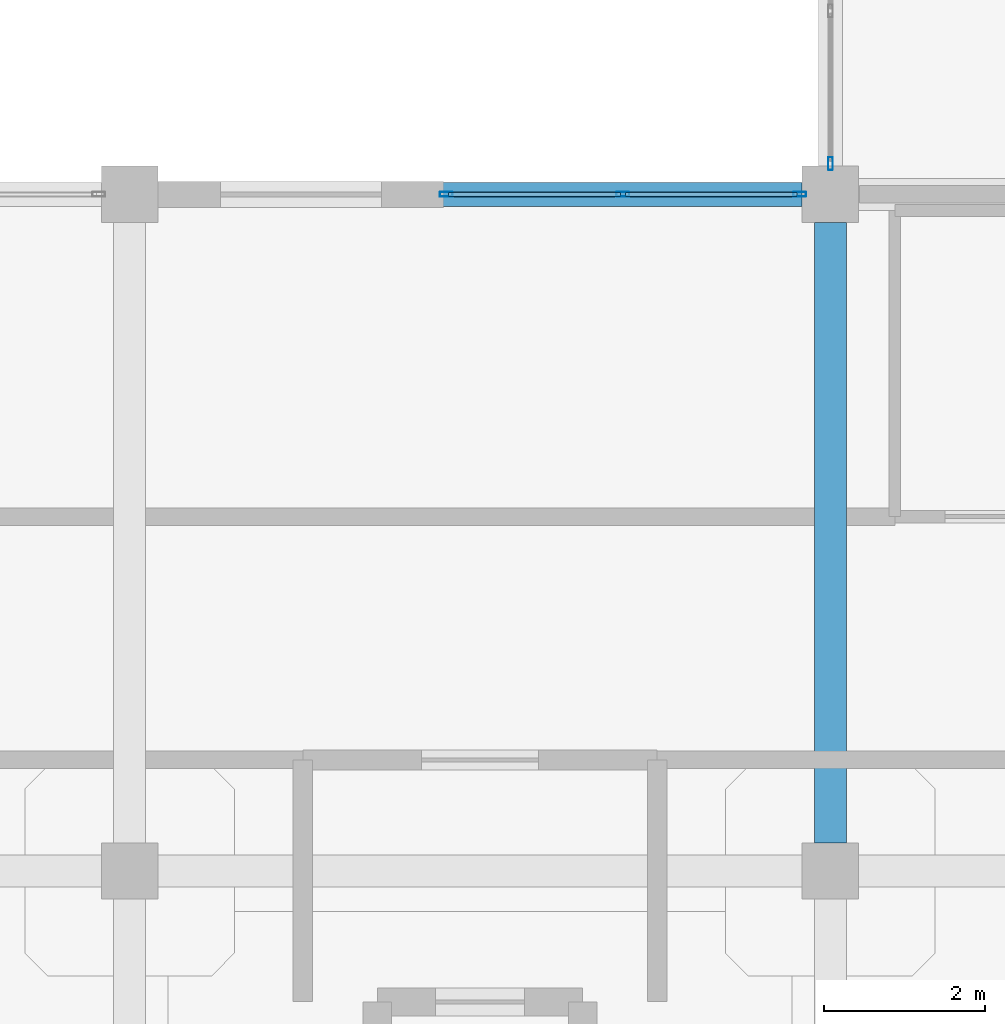
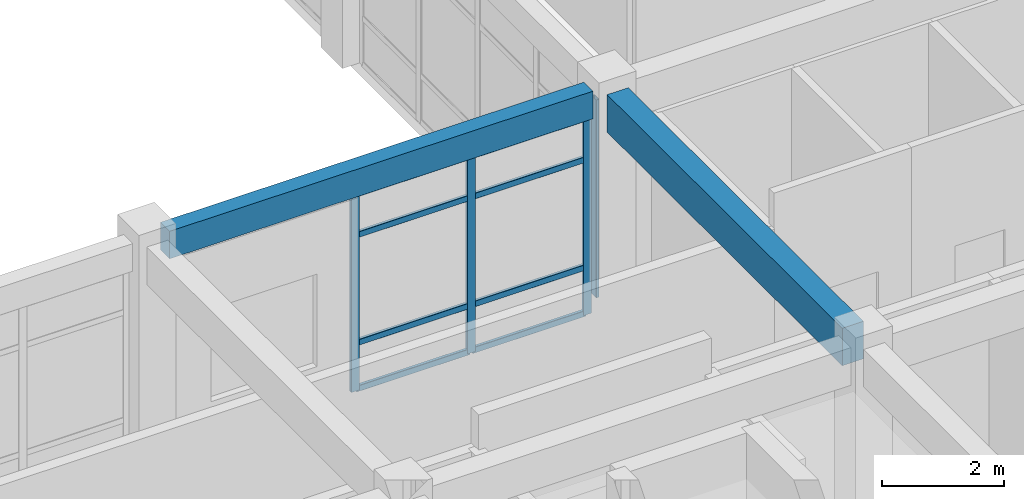
# One storey, part 11 of 76: 12 members, 2 beams, 2 elements without a shape of their own.
"""IFC4 building model written with IfcOpenShell, lengths in metres."""

from ifc_helpers import new_model, si_unit, derived_unit, direction, frame, origin, origin_2d, place, context, subcontext, project, spatial, rectangle, hollow_rectangle, extrude, material, layer, layer_set, material_profile, profile_set, type_object, element, aggregate, save


model = new_model("IFC4")

# Units and contexts
model_context = context("Model", 3, precision=1e-05, world=origin(), true_north=direction((0.0, 1.0)))
body_context = subcontext(model_context, "Body", "Model", "MODEL_VIEW")
ifc_project = project(units=[si_unit("LENGTHUNIT", "METRE"), si_unit("AREAUNIT", "SQUARE_METRE"), si_unit("VOLUMEUNIT", "CUBIC_METRE"), si_unit("PLANEANGLEUNIT", "RADIAN"), si_unit("MASSUNIT", "GRAM", prefix="KILO"), derived_unit("THERMALTRANSMITTANCEUNIT", [(si_unit("MASSUNIT", "GRAM", prefix="KILO"), 1), (si_unit("TIMEUNIT", "SECOND"), -3), (si_unit("THERMODYNAMICTEMPERATUREUNIT", "KELVIN"), -1)])], contexts=[model_context])

# Site, building, storey
site_placement = place(None, origin())
site = spatial("IfcSite", under=ifc_project, at=site_placement, CompositionType="ELEMENT")
building_placement = place(site_placement, origin())
building = spatial("IfcBuilding", under=site, at=building_placement, Name="Qinzheling Arcade Emporium", CompositionType="ELEMENT")
storey_placement = place(building_placement, frame((0.0, 0.0, 26.699951171875)))
storey = spatial("IfcBuildingStorey", under=building, at=storey_placement, Name="L06", CompositionType="ELEMENT", Elevation=26.699951171875)

# Curtain wall, members
ifc_material_1 = material(Name="Anodised aluminium and solar-control double glazing", Category="aluminium")
ifc_layer = layer(ifc_material_1, 0.159912109375, Name="Anodised aluminium and solar-control double glazing", Category="aluminium")
ifc_layer_set = layer_set([ifc_layer], Name="Anodised aluminium and solar-control double glazing")
curtain_wall_type = type_object("IfcCurtainWallType", Name="Atrium Clerestory Curtain Wall", PredefinedType="NOTDEFINED", material=ifc_layer_set)
curtain_wall_1_placement = place(storey_placement, origin())
curtain_wall_1 = element("IfcCurtainWall", 1, at=curtain_wall_1_placement, inside=storey, type_object=curtain_wall_type, Name="Curtain Wall CW-L06-362", PredefinedType="NOTDEFINED")
ifc_material_2 = material(Name="Anodised aluminium 6063-T6", Category="aluminium")
ifc_material_profile_1 = material_profile(ifc_material_2, hollow_rectangle(XDim=0.06005859375, YDim=0.159912109375, WallThickness=0.00390625, InnerFilletRadius=0.00390625, OuterFilletRadius=0.008056640625, at=origin_2d()), Name="RHS 160x60x4", Category="aluminium")
ifc_profile_set_1 = profile_set([ifc_material_profile_1], Name="Anodised aluminium 6063-T6")
member_type_1 = type_object("IfcMemberType", Name="Curtain Wall Mullion RHS160x60", PredefinedType="MULLION", material=ifc_profile_set_1)
member_1_placement = place(storey_placement, frame((30.030029296875, 42.0, 0.0), z_axis=(0.0, 0.0, 1.0), x_axis=(0.0, 1.0, 0.0)))
member_1 = element("IfcMember", 2, at=member_1_placement, type_object=member_type_1, Name="CW03 mullion 1", PredefinedType="MULLION", context=body_context, shape_type="SweptSolid", body=[
    extrude(hollow_rectangle(XDim=0.06005859375, YDim=0.159912109375, WallThickness=0.00390625, InnerFilletRadius=0.00390625, OuterFilletRadius=0.008056640625, at=origin_2d()), origin(), (0.0, 0.0, 1.0), 3.955078125),
])
member_2_placement = place(storey_placement, frame((32.22412109375, 42.0, 0.0), z_axis=(0.0, 0.0, 1.0), x_axis=(0.0, 1.0, 0.0)))
member_2 = element("IfcMember", 3, at=member_2_placement, type_object=member_type_1, Name="CW03 mullion 2", PredefinedType="MULLION", context=body_context, shape_type="SweptSolid", body=[
    extrude(hollow_rectangle(XDim=0.06005859375, YDim=0.159912109375, WallThickness=0.00390625, InnerFilletRadius=0.00390625, OuterFilletRadius=0.008056640625, at=origin_2d()), origin(), (0.0, 0.0, 1.0), 3.955078125),
])
member_3_placement = place(storey_placement, frame((34.41796875, 42.0, 0.0), z_axis=(0.0, 0.0, 1.0), x_axis=(0.0, 1.0, 0.0)))
member_3 = element("IfcMember", 4, at=member_3_placement, type_object=member_type_1, Name="CW03 mullion 3", PredefinedType="MULLION", context=body_context, shape_type="SweptSolid", body=[
    extrude(hollow_rectangle(XDim=0.06005859375, YDim=0.159912109375, WallThickness=0.00390625, InnerFilletRadius=0.00390625, OuterFilletRadius=0.008056640625, at=origin_2d()), origin(), (0.0, 0.0, 1.0), 3.955078125),
])

# Curtain wall, member
curtain_wall_2_placement = place(storey_placement, origin())
curtain_wall_2 = element("IfcCurtainWall", 5, at=curtain_wall_2_placement, inside=storey, type_object=curtain_wall_type, Name="Curtain Wall CW-L06-363", PredefinedType="NOTDEFINED")
member_4_placement = place(storey_placement, frame((34.800048828125, 42.382080078125, 0.0), z_axis=(0.0, 0.0, 1.0), x_axis=(-1.0, 0.0, 0.0)))
member_4 = element("IfcMember", 6, at=member_4_placement, type_object=member_type_1, Name="CW03 mullion 1", PredefinedType="MULLION", context=body_context, shape_type="SweptSolid", body=[
    extrude(hollow_rectangle(XDim=0.06005859375, YDim=0.159912109375, WallThickness=0.00390625, InnerFilletRadius=0.00390625, OuterFilletRadius=0.008056640625, at=origin_2d()), origin(), (0.0, 0.0, 1.0), 3.955078125),
])
aggregate(curtain_wall_2, [member_4])

# Member
ifc_material_profile_2 = material_profile(ifc_material_2, hollow_rectangle(XDim=0.06005859375, YDim=0.1201171875, WallThickness=0.00390625, InnerFilletRadius=0.00390625, OuterFilletRadius=0.008056640625, at=origin_2d()), Name="RHS 120x60x4", Category="aluminium")
ifc_profile_set_2 = profile_set([ifc_material_profile_2], Name="Anodised aluminium 6063-T6")
member_type_2 = type_object("IfcMemberType", Name="Curtain Wall Transom RHS120x60", PredefinedType="USERDEFINED", material=ifc_profile_set_2)
member_5_placement = place(storey_placement, frame((30.06005859375, 42.0, 0.030029296875), z_axis=(1.0, 0.0, 0.0), x_axis=(0.0, 1.0, 0.0)))
member_5 = element("IfcMember", 7, at=member_5_placement, type_object=member_type_2, Name="CW03 transom 1.1", ObjectType="TRANSOM", PredefinedType="USERDEFINED", context=body_context, shape_type="SweptSolid", body=[
    extrude(hollow_rectangle(XDim=0.06005859375, YDim=0.1201171875, WallThickness=0.00390625, InnerFilletRadius=0.00390625, OuterFilletRadius=0.008056640625, at=origin_2d()), origin(), (0.0, 0.0, 1.0), 2.134033203125),
])

member_6_placement = place(storey_placement, frame((30.06005859375, 42.0, 0.949951171875), z_axis=(1.0, 0.0, 0.0), x_axis=(0.0, 1.0, 0.0)))
member_6 = element("IfcMember", 8, at=member_6_placement, type_object=member_type_2, Name="CW03 transom 1.2", ObjectType="TRANSOM", PredefinedType="USERDEFINED", context=body_context, shape_type="SweptSolid", body=[
    extrude(hollow_rectangle(XDim=0.06005859375, YDim=0.1201171875, WallThickness=0.00390625, InnerFilletRadius=0.00390625, OuterFilletRadius=0.008056640625, at=origin_2d()), origin(), (0.0, 0.0, 1.0), 2.134033203125),
])

member_7_placement = place(storey_placement, frame((30.06005859375, 42.0, 3.10498046875), z_axis=(1.0, 0.0, 0.0), x_axis=(0.0, 1.0, 0.0)))
member_7 = element("IfcMember", 9, at=member_7_placement, type_object=member_type_2, Name="CW03 transom 1.3", ObjectType="TRANSOM", PredefinedType="USERDEFINED", context=body_context, shape_type="SweptSolid", body=[
    extrude(hollow_rectangle(XDim=0.06005859375, YDim=0.1201171875, WallThickness=0.00390625, InnerFilletRadius=0.00390625, OuterFilletRadius=0.008056640625, at=origin_2d()), origin(), (0.0, 0.0, 1.0), 2.134033203125),
])

member_8_placement = place(storey_placement, frame((30.06005859375, 42.0, 3.925048828125), z_axis=(1.0, 0.0, 0.0), x_axis=(0.0, 1.0, 0.0)))
member_8 = element("IfcMember", 10, at=member_8_placement, type_object=member_type_2, Name="CW03 transom 1.4", ObjectType="TRANSOM", PredefinedType="USERDEFINED", context=body_context, shape_type="SweptSolid", body=[
    extrude(hollow_rectangle(XDim=0.06005859375, YDim=0.1201171875, WallThickness=0.00390625, InnerFilletRadius=0.00390625, OuterFilletRadius=0.008056640625, at=origin_2d()), origin(), (0.0, 0.0, 1.0), 2.134033203125),
])

member_9_placement = place(storey_placement, frame((32.25390625, 42.0, 0.030029296875), z_axis=(1.0, 0.0, 0.0), x_axis=(0.0, 1.0, 0.0)))
member_9 = element("IfcMember", 11, at=member_9_placement, type_object=member_type_2, Name="CW03 transom 2.1", ObjectType="TRANSOM", PredefinedType="USERDEFINED", context=body_context, shape_type="SweptSolid", body=[
    extrude(hollow_rectangle(XDim=0.06005859375, YDim=0.1201171875, WallThickness=0.00390625, InnerFilletRadius=0.00390625, OuterFilletRadius=0.008056640625, at=origin_2d()), origin(), (0.0, 0.0, 1.0), 2.134033203125),
])

member_10_placement = place(storey_placement, frame((32.25390625, 42.0, 0.949951171875), z_axis=(1.0, 0.0, 0.0), x_axis=(0.0, 1.0, 0.0)))
member_10 = element("IfcMember", 12, at=member_10_placement, type_object=member_type_2, Name="CW03 transom 2.2", ObjectType="TRANSOM", PredefinedType="USERDEFINED", context=body_context, shape_type="SweptSolid", body=[
    extrude(hollow_rectangle(XDim=0.06005859375, YDim=0.1201171875, WallThickness=0.00390625, InnerFilletRadius=0.00390625, OuterFilletRadius=0.008056640625, at=origin_2d()), origin(), (0.0, 0.0, 1.0), 2.134033203125),
])

member_11_placement = place(storey_placement, frame((32.25390625, 42.0, 3.10498046875), z_axis=(1.0, 0.0, 0.0), x_axis=(0.0, 1.0, 0.0)))
member_11 = element("IfcMember", 13, at=member_11_placement, type_object=member_type_2, Name="CW03 transom 2.3", ObjectType="TRANSOM", PredefinedType="USERDEFINED", context=body_context, shape_type="SweptSolid", body=[
    extrude(hollow_rectangle(XDim=0.06005859375, YDim=0.1201171875, WallThickness=0.00390625, InnerFilletRadius=0.00390625, OuterFilletRadius=0.008056640625, at=origin_2d()), origin(), (0.0, 0.0, 1.0), 2.134033203125),
])

member_12_placement = place(storey_placement, frame((32.25390625, 42.0, 3.925048828125), z_axis=(1.0, 0.0, 0.0), x_axis=(0.0, 1.0, 0.0)))
member_12 = element("IfcMember", 14, at=member_12_placement, type_object=member_type_2, Name="CW03 transom 2.4", ObjectType="TRANSOM", PredefinedType="USERDEFINED", context=body_context, shape_type="SweptSolid", body=[
    extrude(hollow_rectangle(XDim=0.06005859375, YDim=0.1201171875, WallThickness=0.00390625, InnerFilletRadius=0.00390625, OuterFilletRadius=0.008056640625, at=origin_2d()), origin(), (0.0, 0.0, 1.0), 2.134033203125),
])

aggregate(curtain_wall_1, [member_1, member_2, member_3, member_5, member_6, member_7, member_8, member_9, member_10, member_11, member_12])

# Beams
ifc_material_3 = material(Name="Concrete C40", Category="concrete")
ifc_material_profile_3 = material_profile(ifc_material_3, rectangle(XDim=0.39990234375, YDim=0.75, at=origin_2d()), Name="RC 400x750", Category="concrete")
ifc_profile_set_3 = profile_set([ifc_material_profile_3], Name="Concrete C40")
beam_type_1 = type_object("IfcBeamType", Name="RC Interior Tie Beam 400x750 C40", PredefinedType="BEAM", material=ifc_profile_set_3)
beam_1_placement = place(storey_placement, frame((34.800048828125, 33.949951171875, 4.14501953125), z_axis=(0.0, 1.0, 0.0), x_axis=(-1.0, 0.0, 0.0)))
element("IfcBeam", 15, at=beam_1_placement, inside=storey, type_object=beam_type_1, Name="Beam BM-L06-Y-5-E", PredefinedType="BEAM", context=body_context, shape_type="SweptSolid", body=[
    extrude(rectangle(XDim=0.39990234375, YDim=0.75, at=origin_2d()), origin(), (0.0, 0.0, 1.0), 7.699951171875),
])
ifc_material_profile_4 = material_profile(ifc_material_3, rectangle(XDim=0.300048828125, YDim=0.550048828125, at=origin_2d()), Name="RC 300x550", Category="concrete")
ifc_profile_set_4 = profile_set([ifc_material_profile_4], Name="Concrete C40")
beam_type_2 = type_object("IfcBeamType", Name="RC Terrace Spandrel Beam 300x550 C40", PredefinedType="SPANDREL", material=ifc_profile_set_4)
beam_2_placement = place(storey_placement, frame((26.449951171875, 42.0, 4.2451171875), z_axis=(1.0, 0.0, 0.0), x_axis=(0.0, 1.0, 0.0)))
element("IfcBeam", 16, at=beam_2_placement, inside=storey, type_object=beam_type_2, Name="Beam BM-L06-X-F-4", PredefinedType="SPANDREL", context=body_context, shape_type="SweptSolid", body=[
    extrude(rectangle(XDim=0.300048828125, YDim=0.550048828125, at=origin_2d()), origin(), (0.0, 0.0, 1.0), 8.0),
])

save(model, "model.ifc")
